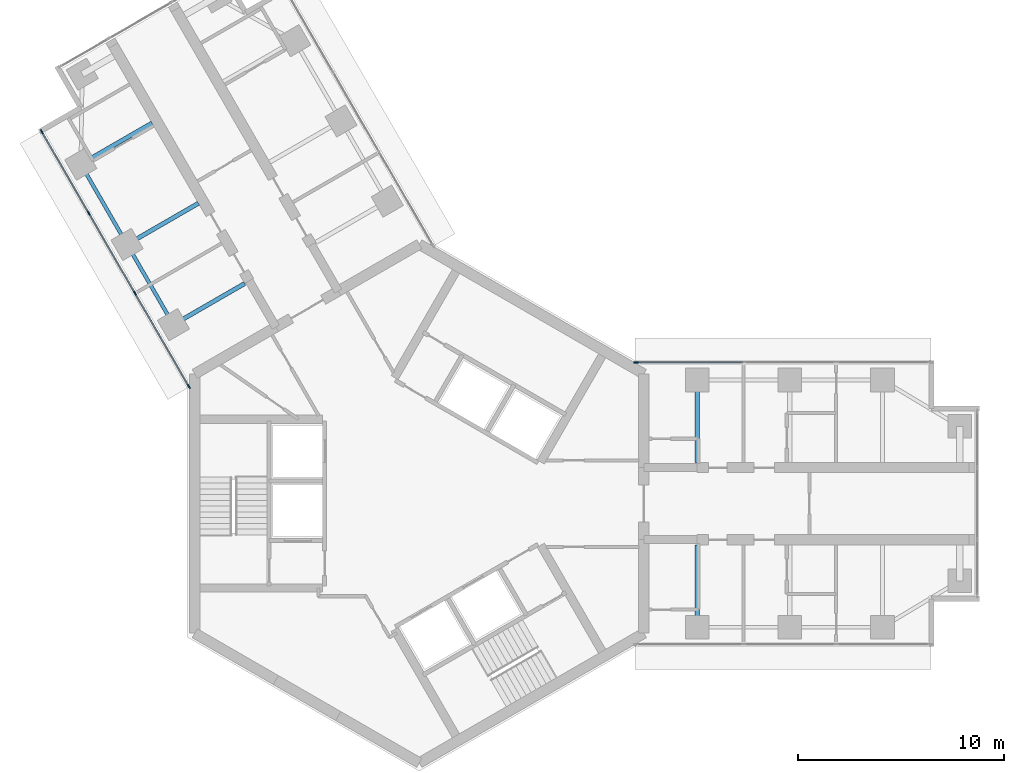
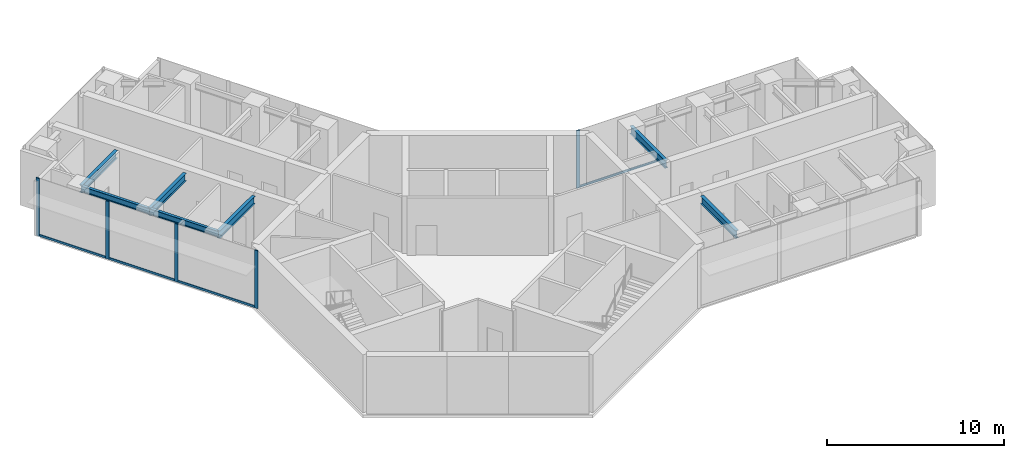
# One storey, part 5 of 17: 9 members, 7 beams, 2 elements without a shape of their own.
"""IFC4 building model written with IfcOpenShell, lengths in metres."""

from ifc_helpers import new_model, si_unit, direction, frame, origin, origin_2d, place, context, subcontext, project, spatial, rectangle, i_section, extrude, material, material_profile, profile_set, type_object, element, aggregate, save


model = new_model("IFC4")

# Units and contexts
model_context = context("Model", 3, precision=1e-05, world=origin(), true_north=direction((0.0, 1.0)))
body_context = subcontext(model_context, "Body", "Model", "MODEL_VIEW")
ifc_project = project(units=[si_unit("LENGTHUNIT", "METRE"), si_unit("AREAUNIT", "SQUARE_METRE"), si_unit("VOLUMEUNIT", "CUBIC_METRE"), si_unit("PLANEANGLEUNIT", "RADIAN"), si_unit("MASSUNIT", "GRAM", prefix="KILO")], contexts=[model_context])

# Site, building, storey
site_placement = place(None, origin())
site = spatial("IfcSite", under=ifc_project, at=site_placement, CompositionType="ELEMENT")
building_placement = place(site_placement, origin())
building = spatial("IfcBuilding", under=site, at=building_placement, Name="Upepo Twin Towers", CompositionType="ELEMENT")
storey_placement = place(building_placement, frame((0.0, 0.0, 214.5)))
storey = spatial("IfcBuildingStorey", under=building, at=storey_placement, Name="L52", CompositionType="ELEMENT", Elevation=214.5)

# Beams
ifc_material_1 = material(Name="Steel S355", Category="steel")
ifc_material_profile_1 = material_profile(ifc_material_1, i_section(OverallWidth=0.177978515625, OverallDepth=0.406494140625, WebThickness=0.0078125, FlangeThickness=0.0126953125, FilletRadius=0.01025390625, at=origin_2d()), Name="UB 406x178x60")
ifc_profile_set_1 = profile_set([ifc_material_profile_1], Name="Steel S355")
beam_type_1 = type_object("IfcBeamType", Name="Beam UB 406x178x60", PredefinedType="BEAM", material=ifc_profile_set_1)
beam_1_placement = place(storey_placement, frame((-11.946044921875, 8.69140625, 3.5966796875), z_axis=(-0.500013631625, 0.866017533419, 0.0), x_axis=(-0.866017533419, -0.500013631625, 0.0)))
element("IfcBeam", 1, at=beam_1_placement, inside=storey, type_object=beam_type_1, Name="T1 edge beam BL 13.5-18.0", PredefinedType="BEAM", context=body_context, shape_type="SweptSolid", body=[
    extrude(i_section(OverallWidth=0.177978515625, OverallDepth=0.406494140625, WebThickness=0.0078125, FlangeThickness=0.0126953125, FilletRadius=0.01025390625, at=origin_2d()), origin(), (0.0, 0.0, 1.0), 4.499755859375),
])
beam_2_placement = place(storey_placement, frame((-14.196044921875, 12.58837890625, 3.5966796875), z_axis=(-0.499990139034, 0.866031096941, 0.0), x_axis=(-0.866031096941, -0.499990139034, 0.0)))
element("IfcBeam", 2, at=beam_2_placement, inside=storey, type_object=beam_type_1, Name="T1 edge beam BL 18.0-22.5", PredefinedType="BEAM", context=body_context, shape_type="SweptSolid", body=[
    extrude(i_section(OverallWidth=0.177978515625, OverallDepth=0.406494140625, WebThickness=0.0078125, FlangeThickness=0.0126953125, FilletRadius=0.01025390625, at=origin_2d()), origin(), (0.0, 0.0, 1.0), 4.5),
])
ifc_material_2 = material(Name="Steel S355", Category="steel")
ifc_material_profile_2 = material_profile(ifc_material_2, i_section(OverallWidth=0.209228515625, OverallDepth=0.533203125, WebThickness=0.010009765625, FlangeThickness=0.015625, FilletRadius=0.0126953125, at=origin_2d()), Name="UB 533x210x92")
ifc_profile_set_2 = profile_set([ifc_material_profile_2], Name="Steel S355")
beam_type_2 = type_object("IfcBeamType", Name="Beam UB 533x210x92", PredefinedType="BEAM", material=ifc_profile_set_2)
for number, where, z_axis, x_axis, name in (
    (3, (13.5, 6.0, 3.533447265625), (0.0, -1.0, 0.0), (1.0, 0.0, 0.0), "T1 girder AL at 13.5"),
    (4, (13.5, -6.0, 3.533447265625), (0.0, 1.0, 0.0), (-1.0, 0.0, 0.0), "T1 girder AR at 13.5"),
    (5, (-11.946044921875, 8.69140625, 3.533447265625), (0.866026010844, 0.49999894854, 0.0), (-0.49999894854, 0.866026010844, 0.0), "T1 girder BL at 13.5"),
    (6, (-14.196044921875, 12.58837890625, 3.533447265625), (0.866026010844, 0.49999894854, 0.0), (-0.49999894854, 0.866026010844, 0.0), "T1 girder BL at 18.0"),
    (7, (-16.446044921875, 16.485595703125, 3.533447265625), (0.866026010844, 0.49999894854, 0.0), (-0.49999894854, 0.866026010844, 0.0), "T1 girder BL at 22.5"),
):
    element("IfcBeam", number, at=place(storey_placement, frame(where, z_axis=z_axis, x_axis=x_axis)), inside=storey, type_object=beam_type_2, Name=name, PredefinedType="BEAM", context=body_context, shape_type="SweptSolid", body=[
        extrude(i_section(OverallWidth=0.209228515625, OverallDepth=0.533203125, WebThickness=0.010009765625, FlangeThickness=0.015625, FilletRadius=0.0126953125, at=origin_2d()), origin(), (0.0, 0.0, 1.0), 4.0),
    ])

# Curtain wall, member
ifc_material_3 = material(Name="Aluminium and fritted glass", Category="aluminium")
curtain_wall_type = type_object("IfcCurtainWallType", Name="Tower curtain wall TW3, fritted glass", PredefinedType="NOTDEFINED", material=ifc_material_3)
curtain_wall_1_placement = place(storey_placement, origin())
curtain_wall_1 = element("IfcCurtainWall", 8, at=curtain_wall_1_placement, inside=storey, type_object=curtain_wall_type, Name="T1 L52 wing A flank L curtain wall", PredefinedType="NOTDEFINED")
ifc_material_4 = material(Name="Aluminium mullion", Category="aluminium")
ifc_material_profile_3 = material_profile(ifc_material_4, rectangle(XDim=0.06494140625, YDim=0.22509765625, at=origin_2d()), Name="MULLION 65x225")
ifc_profile_set_3 = profile_set([ifc_material_profile_3], Name="Aluminium mullion")
member_type_1 = type_object("IfcMemberType", Name="Mullion 65x225 TW3", PredefinedType="MULLION", material=ifc_profile_set_3)
member_1_placement = place(storey_placement, frame((10.51953125, 6.85009765625, 0.0), z_axis=(0.0, 0.0, 1.0), x_axis=(0.0, 1.0, 0.0)))
member_1 = element("IfcMember", 9, at=member_1_placement, type_object=member_type_1, Name="T1 L52 wing A flank L curtain wall mullion 1", PredefinedType="MULLION", context=body_context, shape_type="SweptSolid", body=[
    extrude(rectangle(XDim=0.06494140625, YDim=0.22509765625, at=origin_2d()), origin(), (0.0, 0.0, 1.0), 4.0),
])

# Curtain wall, members
curtain_wall_2_placement = place(storey_placement, origin())
curtain_wall_2 = element("IfcCurtainWall", 10, at=curtain_wall_2_placement, inside=storey, type_object=curtain_wall_type, Name="T1 L52 wing B flank L curtain wall", PredefinedType="NOTDEFINED")
member_2_placement = place(storey_placement, frame((-11.192138671875, 5.685302734375, 0.0), z_axis=(0.0, 0.0, 1.0), x_axis=(-0.866025388469, -0.500000026527, 0.0)))
member_2 = element("IfcMember", 11, at=member_2_placement, type_object=member_type_1, Name="T1 L52 wing B flank L curtain wall mullion 1", PredefinedType="MULLION", context=body_context, shape_type="SweptSolid", body=[
    extrude(rectangle(XDim=0.06494140625, YDim=0.22509765625, at=origin_2d()), origin(), (0.0, 0.0, 1.0), 4.0),
])
member_3_placement = place(storey_placement, frame((-13.807373046875, 10.21484375, 0.0), z_axis=(0.0, 0.0, 1.0), x_axis=(-0.866025388469, -0.500000026527, 0.0)))
member_3 = element("IfcMember", 12, at=member_3_placement, type_object=member_type_1, Name="T1 L52 wing B flank L curtain wall mullion 2", PredefinedType="MULLION", context=body_context, shape_type="SweptSolid", body=[
    extrude(rectangle(XDim=0.06494140625, YDim=0.22509765625, at=origin_2d()), origin(), (0.0, 0.0, 1.0), 4.0),
])
member_4_placement = place(storey_placement, frame((-16.057373046875, 14.112060546875, 0.0), z_axis=(0.0, 0.0, 1.0), x_axis=(-0.866025388469, -0.500000026527, 0.0)))
member_4 = element("IfcMember", 13, at=member_4_placement, type_object=member_type_1, Name="T1 L52 wing B flank L curtain wall mullion 3", PredefinedType="MULLION", context=body_context, shape_type="SweptSolid", body=[
    extrude(rectangle(XDim=0.06494140625, YDim=0.22509765625, at=origin_2d()), origin(), (0.0, 0.0, 1.0), 4.0),
])
member_5_placement = place(storey_placement, frame((-18.341064453125, 18.067626953125, 0.0), z_axis=(0.0, 0.0, 1.0), x_axis=(-0.866025388469, -0.500000026527, 0.0)))
member_5 = element("IfcMember", 14, at=member_5_placement, type_object=member_type_1, Name="T1 L52 wing B flank L curtain wall mullion 4", PredefinedType="MULLION", context=body_context, shape_type="SweptSolid", body=[
    extrude(rectangle(XDim=0.06494140625, YDim=0.22509765625, at=origin_2d()), origin(), (0.0, 0.0, 1.0), 4.0),
])

# Member
ifc_material_5 = material(Name="Aluminium transom", Category="aluminium")
ifc_material_profile_4 = material_profile(ifc_material_5, rectangle(XDim=0.06494140625, YDim=0.14990234375, at=origin_2d()), Name="TRANSOM 65x150")
ifc_profile_set_4 = profile_set([ifc_material_profile_4], Name="Aluminium transom")
member_type_2 = type_object("IfcMemberType", Name="Transom 65x150 TW3", PredefinedType="USERDEFINED", material=ifc_profile_set_4)
member_6_placement = place(storey_placement, frame((10.552001953125, 6.85009765625, 0.074951171875), z_axis=(1.0, 0.0, 0.0), x_axis=(0.0, 1.0, 0.0)))
member_6 = element("IfcMember", 15, at=member_6_placement, type_object=member_type_2, Name="T1 L52 wing A flank L curtain wall transom 1", ObjectType="TRANSOM", PredefinedType="USERDEFINED", context=body_context, shape_type="SweptSolid", body=[
    extrude(rectangle(XDim=0.06494140625, YDim=0.14990234375, at=origin_2d()), origin(), (0.0, 0.0, 1.0), 5.16552734375),
])

aggregate(curtain_wall_1, [member_1, member_6])

member_7_placement = place(storey_placement, frame((-11.208251953125, 5.71337890625, 0.074951171875), z_axis=(-0.500007480159, 0.86602108507, 0.0), x_axis=(-0.86602108507, -0.500007480159, 0.0)))
member_7 = element("IfcMember", 16, at=member_7_placement, type_object=member_type_2, Name="T1 L52 wing B flank L curtain wall transom 1", ObjectType="TRANSOM", PredefinedType="USERDEFINED", context=body_context, shape_type="SweptSolid", body=[
    extrude(rectangle(XDim=0.06494140625, YDim=0.14990234375, at=origin_2d()), origin(), (0.0, 0.0, 1.0), 5.16552734375),
])

member_8_placement = place(storey_placement, frame((-13.823486328125, 10.2431640625, 0.074951171875), z_axis=(-0.500005184116, 0.866022410713, 0.0), x_axis=(-0.866022410713, -0.500005184116, 0.0)))
member_8 = element("IfcMember", 17, at=member_8_placement, type_object=member_type_2, Name="T1 L52 wing B flank L curtain wall transom 2", ObjectType="TRANSOM", PredefinedType="USERDEFINED", context=body_context, shape_type="SweptSolid", body=[
    extrude(rectangle(XDim=0.06494140625, YDim=0.14990234375, at=origin_2d()), origin(), (0.0, 0.0, 1.0), 4.43505859375),
])

member_9_placement = place(storey_placement, frame((-16.073486328125, 14.14013671875, 0.074951171875), z_axis=(-0.499982167615, 0.866035699072, 0.0), x_axis=(-0.866035699072, -0.499982167615, 0.0)))
member_9 = element("IfcMember", 18, at=member_9_placement, type_object=member_type_2, Name="T1 L52 wing B flank L curtain wall transom 3", ObjectType="TRANSOM", PredefinedType="USERDEFINED", context=body_context, shape_type="SweptSolid", body=[
    extrude(rectangle(XDim=0.06494140625, YDim=0.14990234375, at=origin_2d()), origin(), (0.0, 0.0, 1.0), 4.502685546875),
])

aggregate(curtain_wall_2, [member_2, member_3, member_4, member_5, member_7, member_8, member_9])

save(model, "model.ifc")
